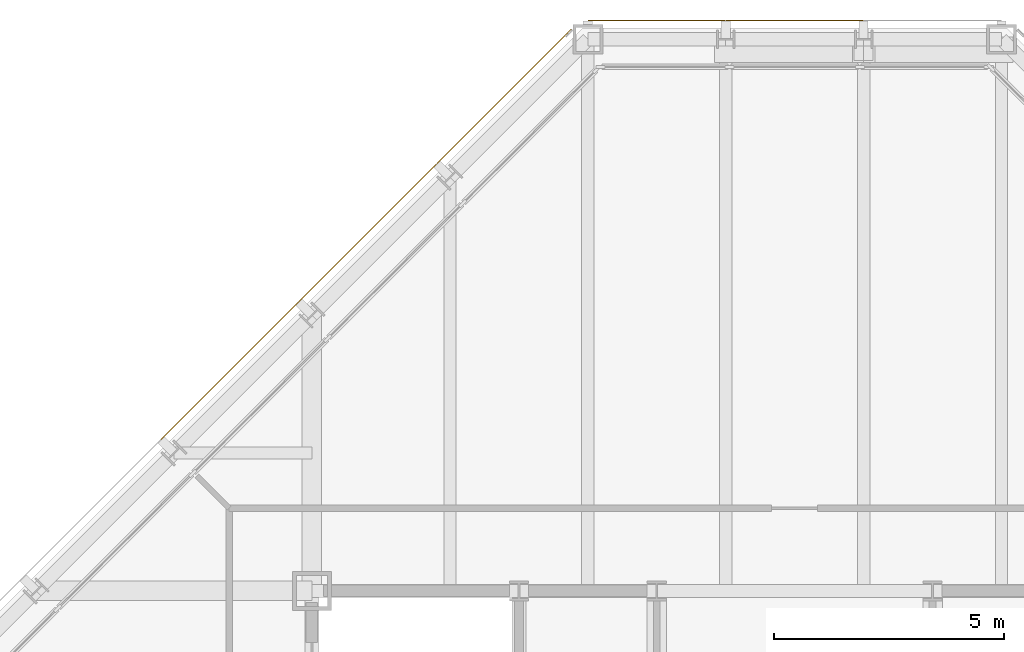
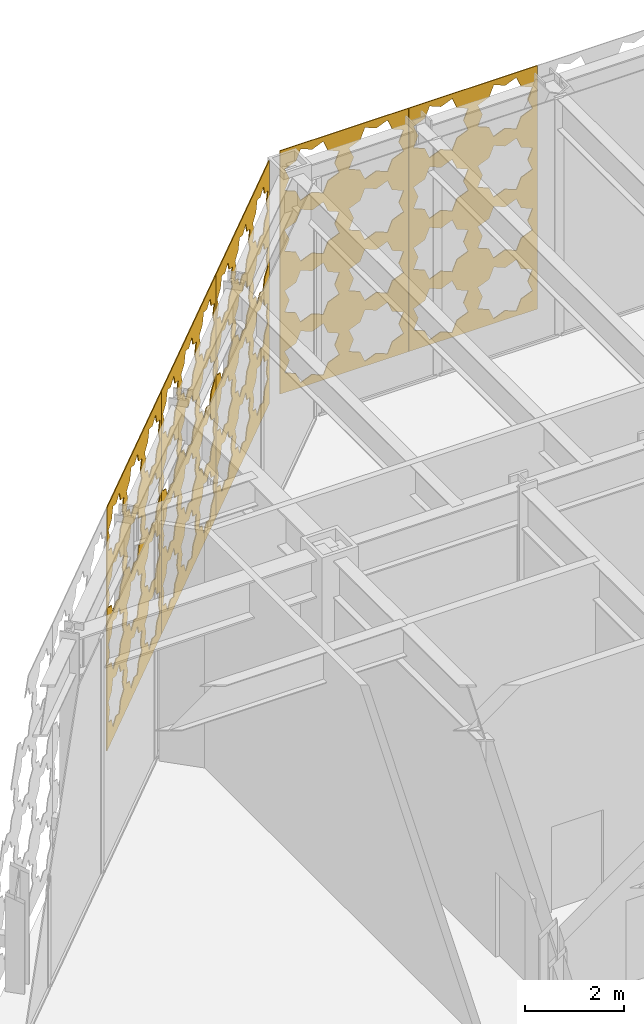
# One storey, part 26 of 28: 5 coverings.
"""IFC4 building model written with IfcOpenShell, lengths in metres."""

from ifc_helpers import new_model, si_unit, direction, frame, origin, place, context, subcontext, project, spatial, polyline, outline, extrude, material, layer, layer_set, type_object, element, save


model = new_model("IFC4")

# Units and contexts
model_context = context("Model", 3, precision=1e-05, world=origin(), true_north=direction((0.0, 1.0)))
body_context = subcontext(model_context, "Body", "Model", "MODEL_VIEW")
ifc_project = project(units=[si_unit("LENGTHUNIT", "METRE"), si_unit("AREAUNIT", "SQUARE_METRE"), si_unit("VOLUMEUNIT", "CUBIC_METRE"), si_unit("PLANEANGLEUNIT", "RADIAN"), si_unit("MASSUNIT", "GRAM", prefix="KILO")], contexts=[model_context])

# Site, building, storey
site_placement = place(None, origin())
site = spatial("IfcSite", under=ifc_project, at=site_placement, CompositionType="ELEMENT")
building_placement = place(site_placement, origin())
building = spatial("IfcBuilding", under=site, at=building_placement, Name="Chuquiago Exchange Tower", CompositionType="ELEMENT")
storey_placement = place(building_placement, frame((0.0, 0.0, 300.0)))
storey = spatial("IfcBuildingStorey", under=building, at=storey_placement, Name="L67", CompositionType="ELEMENT", Elevation=300.0)

# Coverings
ifc_material_1 = material(Name="Anodised aluminium, pale", Category="aluminium")
ifc_layer_1 = layer(ifc_material_1, 0.02001953125)
ifc_layer_set_1 = layer_set([ifc_layer_1], Name="GC3 girih cladding panel 20")
covering_type_1 = type_object("IfcCoveringType", Name="GC3 girih cladding panel 20", PredefinedType="CLADDING", material=ifc_layer_set_1)
covering_1_placement = place(storey_placement, frame((23.9951171875, 45.39990234375, 0.0048828125), z_axis=(0.0, 0.0, 1.0), x_axis=(-1.0, 0.0, 0.0)))
element("IfcCovering", 1, at=covering_1_placement, inside=storey, type_object=covering_type_1, Name="Girih cladding panel L67 N 2", PredefinedType="CLADDING", context=body_context, shape_type="SweptSolid", body=[
    extrude(outline(polyline([(0.0, 0.0), (2.989990234375, 0.0), (2.989990234375, 5.990234375), (0.0, 5.990234375), (0.0, 0.0)]), holes=[polyline([(1.27392578125, 0.752685546875), (1.3828125, 1.015869140625), (1.11962890625, 1.124755859375), (1.0107421875, 1.387939453125), (0.74755859375, 1.279052734375), (0.484375, 1.387939453125), (0.375244140625, 1.124755859375), (0.112060546875, 1.015869140625), (0.22119140625, 0.752685546875), (0.112060546875, 0.489501953125), (0.375244140625, 0.38037109375), (0.484375, 0.1171875), (0.74755859375, 0.226318359375), (1.0107421875, 0.1171875), (1.11962890625, 0.38037109375), (1.3828125, 0.489501953125), (1.27392578125, 0.752685546875)]), polyline([(2.768798828125, 0.752685546875), (2.8779296875, 1.015869140625), (2.61474609375, 1.124755859375), (2.505615234375, 1.387939453125), (2.242431640625, 1.279052734375), (1.979248046875, 1.387939453125), (1.870361328125, 1.124755859375), (1.607177734375, 1.015869140625), (1.716064453125, 0.752685546875), (1.607177734375, 0.489501953125), (1.870361328125, 0.38037109375), (1.979248046875, 0.1171875), (2.242431640625, 0.226318359375), (2.505615234375, 0.1171875), (2.61474609375, 0.38037109375), (2.8779296875, 0.489501953125), (2.768798828125, 0.752685546875)]), polyline([(1.27392578125, 2.24755859375), (1.3828125, 2.5107421875), (1.11962890625, 2.619873046875), (1.0107421875, 2.883056640625), (0.74755859375, 2.77392578125), (0.484375, 2.883056640625), (0.375244140625, 2.619873046875), (0.112060546875, 2.5107421875), (0.22119140625, 2.24755859375), (0.112060546875, 1.984375), (0.375244140625, 1.87548828125), (0.484375, 1.6123046875), (0.74755859375, 1.72119140625), (1.0107421875, 1.6123046875), (1.11962890625, 1.87548828125), (1.3828125, 1.984375), (1.27392578125, 2.24755859375)]), polyline([(2.768798828125, 2.24755859375), (2.8779296875, 2.5107421875), (2.61474609375, 2.619873046875), (2.505615234375, 2.883056640625), (2.242431640625, 2.77392578125), (1.979248046875, 2.883056640625), (1.870361328125, 2.619873046875), (1.607177734375, 2.5107421875), (1.716064453125, 2.24755859375), (1.607177734375, 1.984375), (1.870361328125, 1.87548828125), (1.979248046875, 1.6123046875), (2.242431640625, 1.72119140625), (2.505615234375, 1.6123046875), (2.61474609375, 1.87548828125), (2.8779296875, 1.984375), (2.768798828125, 2.24755859375)]), polyline([(1.27392578125, 3.74267578125), (1.3828125, 4.005859375), (1.11962890625, 4.11474609375), (1.0107421875, 4.3779296875), (0.74755859375, 4.26904296875), (0.484375, 4.3779296875), (0.375244140625, 4.11474609375), (0.112060546875, 4.005859375), (0.22119140625, 3.74267578125), (0.112060546875, 3.4794921875), (0.375244140625, 3.370361328125), (0.484375, 3.107177734375), (0.74755859375, 3.21630859375), (1.0107421875, 3.107177734375), (1.11962890625, 3.370361328125), (1.3828125, 3.4794921875), (1.27392578125, 3.74267578125)]), polyline([(2.768798828125, 3.74267578125), (2.8779296875, 4.005859375), (2.61474609375, 4.11474609375), (2.505615234375, 4.3779296875), (2.242431640625, 4.26904296875), (1.979248046875, 4.3779296875), (1.870361328125, 4.11474609375), (1.607177734375, 4.005859375), (1.716064453125, 3.74267578125), (1.607177734375, 3.4794921875), (1.870361328125, 3.370361328125), (1.979248046875, 3.107177734375), (2.242431640625, 3.21630859375), (2.505615234375, 3.107177734375), (2.61474609375, 3.370361328125), (2.8779296875, 3.4794921875), (2.768798828125, 3.74267578125)]), polyline([(1.27392578125, 5.237548828125), (1.3828125, 5.500732421875), (1.11962890625, 5.60986328125), (1.0107421875, 5.873046875), (0.74755859375, 5.763916015625), (0.484375, 5.873046875), (0.375244140625, 5.60986328125), (0.112060546875, 5.500732421875), (0.22119140625, 5.237548828125), (0.112060546875, 4.974365234375), (0.375244140625, 4.865478515625), (0.484375, 4.602294921875), (0.74755859375, 4.711181640625), (1.0107421875, 4.602294921875), (1.11962890625, 4.865478515625), (1.3828125, 4.974365234375), (1.27392578125, 5.237548828125)]), polyline([(2.768798828125, 5.237548828125), (2.8779296875, 5.500732421875), (2.61474609375, 5.60986328125), (2.505615234375, 5.873046875), (2.242431640625, 5.763916015625), (1.979248046875, 5.873046875), (1.870361328125, 5.60986328125), (1.607177734375, 5.500732421875), (1.716064453125, 5.237548828125), (1.607177734375, 4.974365234375), (1.870361328125, 4.865478515625), (1.979248046875, 4.602294921875), (2.242431640625, 4.711181640625), (2.505615234375, 4.602294921875), (2.61474609375, 4.865478515625), (2.8779296875, 4.974365234375), (2.768798828125, 5.237548828125)])]), frame((0.0, 0.0, 0.0), z_axis=(0.0, -1.0, 0.0), x_axis=(1.0, 0.0, 0.0)), (0.0, 0.0, 1.0), 0.02001953125),
])
covering_2_placement = place(storey_placement, frame((20.9951171875, 45.39990234375, 0.0048828125), z_axis=(0.0, 0.0, 1.0), x_axis=(-1.0, 0.0, 0.0)))
element("IfcCovering", 2, at=covering_2_placement, inside=storey, type_object=covering_type_1, Name="Girih cladding panel L67 N 3", PredefinedType="CLADDING", context=body_context, shape_type="SweptSolid", body=[
    extrude(outline(polyline([(0.0, 0.0), (2.989990234375, 0.0), (2.989990234375, 5.990234375), (0.0, 5.990234375), (0.0, 0.0)]), holes=[polyline([(1.27392578125, 0.752685546875), (1.3828125, 1.015869140625), (1.11962890625, 1.124755859375), (1.0107421875, 1.387939453125), (0.74755859375, 1.279052734375), (0.484375, 1.387939453125), (0.375244140625, 1.124755859375), (0.112060546875, 1.015869140625), (0.22119140625, 0.752685546875), (0.112060546875, 0.489501953125), (0.375244140625, 0.38037109375), (0.484375, 0.1171875), (0.74755859375, 0.226318359375), (1.0107421875, 0.1171875), (1.11962890625, 0.38037109375), (1.3828125, 0.489501953125), (1.27392578125, 0.752685546875)]), polyline([(2.768798828125, 0.752685546875), (2.8779296875, 1.015869140625), (2.61474609375, 1.124755859375), (2.505615234375, 1.387939453125), (2.242431640625, 1.279052734375), (1.979248046875, 1.387939453125), (1.870361328125, 1.124755859375), (1.607177734375, 1.015869140625), (1.716064453125, 0.752685546875), (1.607177734375, 0.489501953125), (1.870361328125, 0.38037109375), (1.979248046875, 0.1171875), (2.242431640625, 0.226318359375), (2.505615234375, 0.1171875), (2.61474609375, 0.38037109375), (2.8779296875, 0.489501953125), (2.768798828125, 0.752685546875)]), polyline([(1.27392578125, 2.24755859375), (1.3828125, 2.5107421875), (1.11962890625, 2.619873046875), (1.0107421875, 2.883056640625), (0.74755859375, 2.77392578125), (0.484375, 2.883056640625), (0.375244140625, 2.619873046875), (0.112060546875, 2.5107421875), (0.22119140625, 2.24755859375), (0.112060546875, 1.984375), (0.375244140625, 1.87548828125), (0.484375, 1.6123046875), (0.74755859375, 1.72119140625), (1.0107421875, 1.6123046875), (1.11962890625, 1.87548828125), (1.3828125, 1.984375), (1.27392578125, 2.24755859375)]), polyline([(2.768798828125, 2.24755859375), (2.8779296875, 2.5107421875), (2.61474609375, 2.619873046875), (2.505615234375, 2.883056640625), (2.242431640625, 2.77392578125), (1.979248046875, 2.883056640625), (1.870361328125, 2.619873046875), (1.607177734375, 2.5107421875), (1.716064453125, 2.24755859375), (1.607177734375, 1.984375), (1.870361328125, 1.87548828125), (1.979248046875, 1.6123046875), (2.242431640625, 1.72119140625), (2.505615234375, 1.6123046875), (2.61474609375, 1.87548828125), (2.8779296875, 1.984375), (2.768798828125, 2.24755859375)]), polyline([(1.27392578125, 3.74267578125), (1.3828125, 4.005859375), (1.11962890625, 4.11474609375), (1.0107421875, 4.3779296875), (0.74755859375, 4.26904296875), (0.484375, 4.3779296875), (0.375244140625, 4.11474609375), (0.112060546875, 4.005859375), (0.22119140625, 3.74267578125), (0.112060546875, 3.4794921875), (0.375244140625, 3.370361328125), (0.484375, 3.107177734375), (0.74755859375, 3.21630859375), (1.0107421875, 3.107177734375), (1.11962890625, 3.370361328125), (1.3828125, 3.4794921875), (1.27392578125, 3.74267578125)]), polyline([(2.768798828125, 3.74267578125), (2.8779296875, 4.005859375), (2.61474609375, 4.11474609375), (2.505615234375, 4.3779296875), (2.242431640625, 4.26904296875), (1.979248046875, 4.3779296875), (1.870361328125, 4.11474609375), (1.607177734375, 4.005859375), (1.716064453125, 3.74267578125), (1.607177734375, 3.4794921875), (1.870361328125, 3.370361328125), (1.979248046875, 3.107177734375), (2.242431640625, 3.21630859375), (2.505615234375, 3.107177734375), (2.61474609375, 3.370361328125), (2.8779296875, 3.4794921875), (2.768798828125, 3.74267578125)]), polyline([(1.27392578125, 5.237548828125), (1.3828125, 5.500732421875), (1.11962890625, 5.60986328125), (1.0107421875, 5.873046875), (0.74755859375, 5.763916015625), (0.484375, 5.873046875), (0.375244140625, 5.60986328125), (0.112060546875, 5.500732421875), (0.22119140625, 5.237548828125), (0.112060546875, 4.974365234375), (0.375244140625, 4.865478515625), (0.484375, 4.602294921875), (0.74755859375, 4.711181640625), (1.0107421875, 4.602294921875), (1.11962890625, 4.865478515625), (1.3828125, 4.974365234375), (1.27392578125, 5.237548828125)]), polyline([(2.768798828125, 5.237548828125), (2.8779296875, 5.500732421875), (2.61474609375, 5.60986328125), (2.505615234375, 5.873046875), (2.242431640625, 5.763916015625), (1.979248046875, 5.873046875), (1.870361328125, 5.60986328125), (1.607177734375, 5.500732421875), (1.716064453125, 5.237548828125), (1.607177734375, 4.974365234375), (1.870361328125, 4.865478515625), (1.979248046875, 4.602294921875), (2.242431640625, 4.711181640625), (2.505615234375, 4.602294921875), (2.61474609375, 4.865478515625), (2.8779296875, 4.974365234375), (2.768798828125, 5.237548828125)])]), frame((0.0, 0.0, 0.0), z_axis=(0.0, -1.0, 0.0), x_axis=(1.0, 0.0, 0.0)), (0.0, 0.0, 1.0), 0.02001953125),
])
ifc_material_2 = material(Name="Anodised aluminium, pale", Category="aluminium")
ifc_layer_2 = layer(ifc_material_2, 0.02001953125)
ifc_layer_set_2 = layer_set([ifc_layer_2], Name="GC4 girih cladding panel 20")
covering_type_2 = type_object("IfcCoveringType", Name="GC4 girih cladding panel 20", PredefinedType="CLADDING", material=ifc_layer_set_2)
covering_3_placement = place(storey_placement, frame((14.713623046875, 42.279296875, 0.0048828125), z_axis=(0.0, 0.0, 1.0), x_axis=(-0.707106781187, -0.707106781187, 0.0)))
element("IfcCovering", 3, at=covering_3_placement, inside=storey, type_object=covering_type_2, Name="Girih cladding panel L67 NW 2", PredefinedType="CLADDING", context=body_context, shape_type="SweptSolid", body=[
    extrude(outline(polyline([(0.0, 0.0), (4.232666015625, 0.0), (4.232666015625, 5.990234375), (0.0, 5.990234375), (0.0, 0.0)]), holes=[polyline([(1.2021484375, 0.878662109375), (1.304931640625, 1.127197265625), (1.056640625, 1.22998046875), (0.953857421875, 1.478271484375), (0.70556640625, 1.37548828125), (0.45703125, 1.478271484375), (0.354248046875, 1.22998046875), (0.10595703125, 1.127197265625), (0.208740234375, 0.878662109375), (0.10595703125, 0.63037109375), (0.354248046875, 0.527587890625), (0.45703125, 0.279296875), (0.705322265625, 0.382080078125), (0.953857421875, 0.279296875), (1.056640625, 0.527587890625), (1.304931640625, 0.63037109375), (1.2021484375, 0.878662109375)]), polyline([(2.613037109375, 0.878662109375), (2.7158203125, 1.127197265625), (2.467529296875, 1.22998046875), (2.36474609375, 1.478271484375), (2.116455078125, 1.37548828125), (1.867919921875, 1.478271484375), (1.76513671875, 1.22998046875), (1.516845703125, 1.127197265625), (1.61962890625, 0.878662109375), (1.516845703125, 0.63037109375), (1.76513671875, 0.527587890625), (1.867919921875, 0.279296875), (2.116455078125, 0.382080078125), (2.36474609375, 0.279296875), (2.467529296875, 0.527587890625), (2.7158203125, 0.63037109375), (2.613037109375, 0.878662109375)]), polyline([(4.02392578125, 0.878662109375), (4.126708984375, 1.127197265625), (3.87841796875, 1.22998046875), (3.775634765625, 1.478271484375), (3.527099609375, 1.37548828125), (3.27880859375, 1.478271484375), (3.176025390625, 1.22998046875), (2.927734375, 1.127197265625), (3.030517578125, 0.878662109375), (2.927734375, 0.63037109375), (3.176025390625, 0.527587890625), (3.27880859375, 0.279296875), (3.527099609375, 0.382080078125), (3.775634765625, 0.279296875), (3.87841796875, 0.527587890625), (4.126708984375, 0.63037109375), (4.02392578125, 0.878662109375)]), polyline([(1.2021484375, 2.289794921875), (1.304931640625, 2.5380859375), (1.056640625, 2.640869140625), (0.953857421875, 2.88916015625), (0.70556640625, 2.786376953125), (0.45703125, 2.88916015625), (0.354248046875, 2.640869140625), (0.10595703125, 2.5380859375), (0.208740234375, 2.289794921875), (0.10595703125, 2.041259765625), (0.354248046875, 1.9384765625), (0.45703125, 1.690185546875), (0.705322265625, 1.79296875), (0.953857421875, 1.690185546875), (1.056640625, 1.9384765625), (1.304931640625, 2.041259765625), (1.2021484375, 2.289794921875)]), polyline([(2.613037109375, 2.289794921875), (2.7158203125, 2.5380859375), (2.467529296875, 2.640869140625), (2.36474609375, 2.88916015625), (2.116455078125, 2.786376953125), (1.867919921875, 2.88916015625), (1.76513671875, 2.640869140625), (1.516845703125, 2.5380859375), (1.61962890625, 2.289794921875), (1.516845703125, 2.041259765625), (1.76513671875, 1.9384765625), (1.867919921875, 1.690185546875), (2.116455078125, 1.79296875), (2.36474609375, 1.690185546875), (2.467529296875, 1.9384765625), (2.7158203125, 2.041259765625), (2.613037109375, 2.289794921875)]), polyline([(4.02392578125, 2.289794921875), (4.126708984375, 2.5380859375), (3.87841796875, 2.640869140625), (3.775634765625, 2.88916015625), (3.527099609375, 2.786376953125), (3.27880859375, 2.88916015625), (3.176025390625, 2.640869140625), (2.927734375, 2.5380859375), (3.030517578125, 2.289794921875), (2.927734375, 2.041259765625), (3.176025390625, 1.9384765625), (3.27880859375, 1.690185546875), (3.527099609375, 1.79296875), (3.775634765625, 1.690185546875), (3.87841796875, 1.9384765625), (4.126708984375, 2.041259765625), (4.02392578125, 2.289794921875)]), polyline([(1.2021484375, 3.700439453125), (1.304931640625, 3.948974609375), (1.056640625, 4.0517578125), (0.953857421875, 4.300048828125), (0.70556640625, 4.197265625), (0.45703125, 4.300048828125), (0.354248046875, 4.0517578125), (0.10595703125, 3.948974609375), (0.208740234375, 3.700439453125), (0.10595703125, 3.4521484375), (0.354248046875, 3.349365234375), (0.45703125, 3.10107421875), (0.705322265625, 3.203857421875), (0.953857421875, 3.10107421875), (1.056640625, 3.349365234375), (1.304931640625, 3.4521484375), (1.2021484375, 3.700439453125)]), polyline([(2.613037109375, 3.700439453125), (2.7158203125, 3.948974609375), (2.467529296875, 4.0517578125), (2.36474609375, 4.300048828125), (2.116455078125, 4.197265625), (1.867919921875, 4.300048828125), (1.76513671875, 4.0517578125), (1.516845703125, 3.948974609375), (1.61962890625, 3.700439453125), (1.516845703125, 3.4521484375), (1.76513671875, 3.349365234375), (1.867919921875, 3.10107421875), (2.116455078125, 3.203857421875), (2.36474609375, 3.10107421875), (2.467529296875, 3.349365234375), (2.7158203125, 3.4521484375), (2.613037109375, 3.700439453125)]), polyline([(4.02392578125, 3.700439453125), (4.126708984375, 3.948974609375), (3.87841796875, 4.0517578125), (3.775634765625, 4.300048828125), (3.527099609375, 4.197265625), (3.27880859375, 4.300048828125), (3.176025390625, 4.0517578125), (2.927734375, 3.948974609375), (3.030517578125, 3.700439453125), (2.927734375, 3.4521484375), (3.176025390625, 3.349365234375), (3.27880859375, 3.10107421875), (3.527099609375, 3.203857421875), (3.775634765625, 3.10107421875), (3.87841796875, 3.349365234375), (4.126708984375, 3.4521484375), (4.02392578125, 3.700439453125)]), polyline([(1.2021484375, 5.111572265625), (1.304931640625, 5.35986328125), (1.056640625, 5.462646484375), (0.953857421875, 5.7109375), (0.70556640625, 5.608154296875), (0.45703125, 5.7109375), (0.354248046875, 5.462646484375), (0.10595703125, 5.35986328125), (0.208740234375, 5.111572265625), (0.10595703125, 4.863037109375), (0.354248046875, 4.76025390625), (0.45703125, 4.511962890625), (0.705322265625, 4.61474609375), (0.953857421875, 4.511962890625), (1.056640625, 4.76025390625), (1.304931640625, 4.863037109375), (1.2021484375, 5.111572265625)]), polyline([(2.613037109375, 5.111572265625), (2.7158203125, 5.35986328125), (2.467529296875, 5.462646484375), (2.36474609375, 5.7109375), (2.116455078125, 5.608154296875), (1.867919921875, 5.7109375), (1.76513671875, 5.462646484375), (1.516845703125, 5.35986328125), (1.61962890625, 5.111572265625), (1.516845703125, 4.863037109375), (1.76513671875, 4.76025390625), (1.867919921875, 4.511962890625), (2.116455078125, 4.61474609375), (2.36474609375, 4.511962890625), (2.467529296875, 4.76025390625), (2.7158203125, 4.863037109375), (2.613037109375, 5.111572265625)]), polyline([(4.02392578125, 5.111572265625), (4.126708984375, 5.35986328125), (3.87841796875, 5.462646484375), (3.775634765625, 5.7109375), (3.527099609375, 5.608154296875), (3.27880859375, 5.7109375), (3.176025390625, 5.462646484375), (2.927734375, 5.35986328125), (3.030517578125, 5.111572265625), (2.927734375, 4.863037109375), (3.176025390625, 4.76025390625), (3.27880859375, 4.511962890625), (3.527099609375, 4.61474609375), (3.775634765625, 4.511962890625), (3.87841796875, 4.76025390625), (4.126708984375, 4.863037109375), (4.02392578125, 5.111572265625)])]), frame((0.0, 0.0, 0.0), z_axis=(0.0, -1.0, 0.0), x_axis=(1.0, 0.0, 0.0)), (0.0, 0.0, 1.0), 0.02001953125),
])
covering_4_placement = place(storey_placement, frame((11.713623046875, 39.279296875, 0.0048828125), z_axis=(0.0, 0.0, 1.0), x_axis=(-0.707106781187, -0.707106781187, 0.0)))
element("IfcCovering", 4, at=covering_4_placement, inside=storey, type_object=covering_type_2, Name="Girih cladding panel L67 NW 3", PredefinedType="CLADDING", context=body_context, shape_type="SweptSolid", body=[
    extrude(outline(polyline([(0.0, 0.0), (4.232666015625, 0.0), (4.232666015625, 5.990234375), (0.0, 5.990234375), (0.0, 0.0)]), holes=[polyline([(1.2021484375, 0.878662109375), (1.304931640625, 1.127197265625), (1.056640625, 1.22998046875), (0.953857421875, 1.478271484375), (0.70556640625, 1.37548828125), (0.45703125, 1.478271484375), (0.354248046875, 1.22998046875), (0.10595703125, 1.127197265625), (0.208740234375, 0.878662109375), (0.10595703125, 0.63037109375), (0.354248046875, 0.527587890625), (0.45703125, 0.279296875), (0.705322265625, 0.382080078125), (0.953857421875, 0.279296875), (1.056640625, 0.527587890625), (1.304931640625, 0.63037109375), (1.2021484375, 0.878662109375)]), polyline([(2.613037109375, 0.878662109375), (2.7158203125, 1.127197265625), (2.467529296875, 1.22998046875), (2.36474609375, 1.478271484375), (2.116455078125, 1.37548828125), (1.867919921875, 1.478271484375), (1.76513671875, 1.22998046875), (1.516845703125, 1.127197265625), (1.61962890625, 0.878662109375), (1.516845703125, 0.63037109375), (1.76513671875, 0.527587890625), (1.867919921875, 0.279296875), (2.116455078125, 0.382080078125), (2.36474609375, 0.279296875), (2.467529296875, 0.527587890625), (2.7158203125, 0.63037109375), (2.613037109375, 0.878662109375)]), polyline([(4.02392578125, 0.878662109375), (4.126708984375, 1.127197265625), (3.87841796875, 1.22998046875), (3.775634765625, 1.478271484375), (3.527099609375, 1.37548828125), (3.27880859375, 1.478271484375), (3.176025390625, 1.22998046875), (2.927734375, 1.127197265625), (3.030517578125, 0.878662109375), (2.927734375, 0.63037109375), (3.176025390625, 0.527587890625), (3.27880859375, 0.279296875), (3.527099609375, 0.382080078125), (3.775634765625, 0.279296875), (3.87841796875, 0.527587890625), (4.126708984375, 0.63037109375), (4.02392578125, 0.878662109375)]), polyline([(1.2021484375, 2.289794921875), (1.304931640625, 2.5380859375), (1.056640625, 2.640869140625), (0.953857421875, 2.88916015625), (0.70556640625, 2.786376953125), (0.45703125, 2.88916015625), (0.354248046875, 2.640869140625), (0.10595703125, 2.5380859375), (0.208740234375, 2.289794921875), (0.10595703125, 2.041259765625), (0.354248046875, 1.9384765625), (0.45703125, 1.690185546875), (0.705322265625, 1.79296875), (0.953857421875, 1.690185546875), (1.056640625, 1.9384765625), (1.304931640625, 2.041259765625), (1.2021484375, 2.289794921875)]), polyline([(2.613037109375, 2.289794921875), (2.7158203125, 2.5380859375), (2.467529296875, 2.640869140625), (2.36474609375, 2.88916015625), (2.116455078125, 2.786376953125), (1.867919921875, 2.88916015625), (1.76513671875, 2.640869140625), (1.516845703125, 2.5380859375), (1.61962890625, 2.289794921875), (1.516845703125, 2.041259765625), (1.76513671875, 1.9384765625), (1.867919921875, 1.690185546875), (2.116455078125, 1.79296875), (2.36474609375, 1.690185546875), (2.467529296875, 1.9384765625), (2.7158203125, 2.041259765625), (2.613037109375, 2.289794921875)]), polyline([(4.02392578125, 2.289794921875), (4.126708984375, 2.5380859375), (3.87841796875, 2.640869140625), (3.775634765625, 2.88916015625), (3.527099609375, 2.786376953125), (3.27880859375, 2.88916015625), (3.176025390625, 2.640869140625), (2.927734375, 2.5380859375), (3.030517578125, 2.289794921875), (2.927734375, 2.041259765625), (3.176025390625, 1.9384765625), (3.27880859375, 1.690185546875), (3.527099609375, 1.79296875), (3.775634765625, 1.690185546875), (3.87841796875, 1.9384765625), (4.126708984375, 2.041259765625), (4.02392578125, 2.289794921875)]), polyline([(1.2021484375, 3.700439453125), (1.304931640625, 3.948974609375), (1.056640625, 4.0517578125), (0.953857421875, 4.300048828125), (0.70556640625, 4.197265625), (0.45703125, 4.300048828125), (0.354248046875, 4.0517578125), (0.10595703125, 3.948974609375), (0.208740234375, 3.700439453125), (0.10595703125, 3.4521484375), (0.354248046875, 3.349365234375), (0.45703125, 3.10107421875), (0.705322265625, 3.203857421875), (0.953857421875, 3.10107421875), (1.056640625, 3.349365234375), (1.304931640625, 3.4521484375), (1.2021484375, 3.700439453125)]), polyline([(2.613037109375, 3.700439453125), (2.7158203125, 3.948974609375), (2.467529296875, 4.0517578125), (2.36474609375, 4.300048828125), (2.116455078125, 4.197265625), (1.867919921875, 4.300048828125), (1.76513671875, 4.0517578125), (1.516845703125, 3.948974609375), (1.61962890625, 3.700439453125), (1.516845703125, 3.4521484375), (1.76513671875, 3.349365234375), (1.867919921875, 3.10107421875), (2.116455078125, 3.203857421875), (2.36474609375, 3.10107421875), (2.467529296875, 3.349365234375), (2.7158203125, 3.4521484375), (2.613037109375, 3.700439453125)]), polyline([(4.02392578125, 3.700439453125), (4.126708984375, 3.948974609375), (3.87841796875, 4.0517578125), (3.775634765625, 4.300048828125), (3.527099609375, 4.197265625), (3.27880859375, 4.300048828125), (3.176025390625, 4.0517578125), (2.927734375, 3.948974609375), (3.030517578125, 3.700439453125), (2.927734375, 3.4521484375), (3.176025390625, 3.349365234375), (3.27880859375, 3.10107421875), (3.527099609375, 3.203857421875), (3.775634765625, 3.10107421875), (3.87841796875, 3.349365234375), (4.126708984375, 3.4521484375), (4.02392578125, 3.700439453125)]), polyline([(1.2021484375, 5.111572265625), (1.304931640625, 5.35986328125), (1.056640625, 5.462646484375), (0.953857421875, 5.7109375), (0.70556640625, 5.608154296875), (0.45703125, 5.7109375), (0.354248046875, 5.462646484375), (0.10595703125, 5.35986328125), (0.208740234375, 5.111572265625), (0.10595703125, 4.863037109375), (0.354248046875, 4.76025390625), (0.45703125, 4.511962890625), (0.705322265625, 4.61474609375), (0.953857421875, 4.511962890625), (1.056640625, 4.76025390625), (1.304931640625, 4.863037109375), (1.2021484375, 5.111572265625)]), polyline([(2.613037109375, 5.111572265625), (2.7158203125, 5.35986328125), (2.467529296875, 5.462646484375), (2.36474609375, 5.7109375), (2.116455078125, 5.608154296875), (1.867919921875, 5.7109375), (1.76513671875, 5.462646484375), (1.516845703125, 5.35986328125), (1.61962890625, 5.111572265625), (1.516845703125, 4.863037109375), (1.76513671875, 4.76025390625), (1.867919921875, 4.511962890625), (2.116455078125, 4.61474609375), (2.36474609375, 4.511962890625), (2.467529296875, 4.76025390625), (2.7158203125, 4.863037109375), (2.613037109375, 5.111572265625)]), polyline([(4.02392578125, 5.111572265625), (4.126708984375, 5.35986328125), (3.87841796875, 5.462646484375), (3.775634765625, 5.7109375), (3.527099609375, 5.608154296875), (3.27880859375, 5.7109375), (3.176025390625, 5.462646484375), (2.927734375, 5.35986328125), (3.030517578125, 5.111572265625), (2.927734375, 4.863037109375), (3.176025390625, 4.76025390625), (3.27880859375, 4.511962890625), (3.527099609375, 4.61474609375), (3.775634765625, 4.511962890625), (3.87841796875, 4.76025390625), (4.126708984375, 4.863037109375), (4.02392578125, 5.111572265625)])]), frame((0.0, 0.0, 0.0), z_axis=(0.0, -1.0, 0.0), x_axis=(1.0, 0.0, 0.0)), (0.0, 0.0, 1.0), 0.02001953125),
])
ifc_material_3 = material(Name="Anodised aluminium, pale", Category="aluminium")
ifc_layer_3 = layer(ifc_material_3, 0.02001953125)
ifc_layer_set_3 = layer_set([ifc_layer_3], Name="GC7 girih cladding panel 20")
covering_type_3 = type_object("IfcCoveringType", Name="GC7 girih cladding panel 20", PredefinedType="CLADDING", material=ifc_layer_set_3)
covering_5_placement = place(storey_placement, frame((17.64990234375, 45.2158203125, 0.0048828125), z_axis=(0.0, 0.0, 1.0), x_axis=(-0.707106781187, -0.707106781187, 0.0)))
element("IfcCovering", 5, at=covering_5_placement, inside=storey, type_object=covering_type_3, Name="Girih cladding panel L67 NW 1", PredefinedType="CLADDING", context=body_context, shape_type="SweptSolid", body=[
    extrude(outline(polyline([(0.0, 0.0), (4.142578125, 0.0), (4.142578125, 5.990234375), (0.0, 5.990234375), (0.0, 0.0)]), holes=[polyline([(1.176513671875, 0.923828125), (1.27734375, 1.166748046875), (1.0341796875, 1.267578125), (0.93359375, 1.510498046875), (0.6904296875, 1.409912109375), (0.447509765625, 1.510498046875), (0.3466796875, 1.267578125), (0.103515625, 1.166748046875), (0.204345703125, 0.923828125), (0.103515625, 0.6806640625), (0.3466796875, 0.580078125), (0.447509765625, 0.3369140625), (0.6904296875, 0.4375), (0.93359375, 0.3369140625), (1.0341796875, 0.580078125), (1.27734375, 0.6806640625), (1.176513671875, 0.923828125)]), polyline([(2.5576171875, 0.923828125), (2.658203125, 1.166748046875), (2.4150390625, 1.267578125), (2.314453125, 1.510498046875), (2.0712890625, 1.409912109375), (1.828369140625, 1.510498046875), (1.7275390625, 1.267578125), (1.484619140625, 1.166748046875), (1.585205078125, 0.923828125), (1.484619140625, 0.6806640625), (1.7275390625, 0.580078125), (1.828369140625, 0.3369140625), (2.0712890625, 0.4375), (2.314453125, 0.3369140625), (2.4150390625, 0.580078125), (2.658203125, 0.6806640625), (2.5576171875, 0.923828125)]), polyline([(3.9384765625, 0.923828125), (4.0390625, 1.166748046875), (3.7958984375, 1.267578125), (3.6953125, 1.510498046875), (3.452392578125, 1.409912109375), (3.209228515625, 1.510498046875), (3.1083984375, 1.267578125), (2.865478515625, 1.166748046875), (2.966064453125, 0.923828125), (2.865478515625, 0.6806640625), (3.1083984375, 0.580078125), (3.209228515625, 0.3369140625), (3.452392578125, 0.4375), (3.6953125, 0.3369140625), (3.7958984375, 0.580078125), (4.0390625, 0.6806640625), (3.9384765625, 0.923828125)]), polyline([(1.176513671875, 2.3046875), (1.27734375, 2.547607421875), (1.0341796875, 2.6484375), (0.93359375, 2.8916015625), (0.6904296875, 2.790771484375), (0.447509765625, 2.8916015625), (0.3466796875, 2.6484375), (0.103515625, 2.547607421875), (0.204345703125, 2.3046875), (0.103515625, 2.0615234375), (0.3466796875, 1.9609375), (0.447509765625, 1.7177734375), (0.6904296875, 1.818603515625), (0.93359375, 1.7177734375), (1.0341796875, 1.9609375), (1.27734375, 2.0615234375), (1.176513671875, 2.3046875)]), polyline([(2.5576171875, 2.3046875), (2.658203125, 2.547607421875), (2.4150390625, 2.6484375), (2.314453125, 2.8916015625), (2.0712890625, 2.790771484375), (1.828369140625, 2.8916015625), (1.7275390625, 2.6484375), (1.484619140625, 2.547607421875), (1.585205078125, 2.3046875), (1.484619140625, 2.0615234375), (1.7275390625, 1.9609375), (1.828369140625, 1.7177734375), (2.0712890625, 1.818603515625), (2.314453125, 1.7177734375), (2.4150390625, 1.9609375), (2.658203125, 2.0615234375), (2.5576171875, 2.3046875)]), polyline([(3.9384765625, 2.3046875), (4.0390625, 2.547607421875), (3.7958984375, 2.6484375), (3.6953125, 2.8916015625), (3.452392578125, 2.790771484375), (3.209228515625, 2.8916015625), (3.1083984375, 2.6484375), (2.865478515625, 2.547607421875), (2.966064453125, 2.3046875), (2.865478515625, 2.0615234375), (3.1083984375, 1.9609375), (3.209228515625, 1.7177734375), (3.452392578125, 1.818603515625), (3.6953125, 1.7177734375), (3.7958984375, 1.9609375), (4.0390625, 2.0615234375), (3.9384765625, 2.3046875)]), polyline([(1.176513671875, 3.685546875), (1.27734375, 3.9287109375), (1.0341796875, 4.029296875), (0.93359375, 4.2724609375), (0.6904296875, 4.171630859375), (0.447509765625, 4.2724609375), (0.3466796875, 4.029296875), (0.103515625, 3.9287109375), (0.204345703125, 3.685546875), (0.103515625, 3.442626953125), (0.3466796875, 3.341796875), (0.447509765625, 3.0986328125), (0.6904296875, 3.199462890625), (0.93359375, 3.0986328125), (1.0341796875, 3.341796875), (1.27734375, 3.442626953125), (1.176513671875, 3.685546875)]), polyline([(2.5576171875, 3.685546875), (2.658203125, 3.9287109375), (2.4150390625, 4.029296875), (2.314453125, 4.2724609375), (2.0712890625, 4.171630859375), (1.828369140625, 4.2724609375), (1.7275390625, 4.029296875), (1.484619140625, 3.9287109375), (1.585205078125, 3.685546875), (1.484619140625, 3.442626953125), (1.7275390625, 3.341796875), (1.828369140625, 3.0986328125), (2.0712890625, 3.199462890625), (2.314453125, 3.0986328125), (2.4150390625, 3.341796875), (2.658203125, 3.442626953125), (2.5576171875, 3.685546875)]), polyline([(3.9384765625, 3.685546875), (4.0390625, 3.9287109375), (3.7958984375, 4.029296875), (3.6953125, 4.2724609375), (3.452392578125, 4.171630859375), (3.209228515625, 4.2724609375), (3.1083984375, 4.029296875), (2.865478515625, 3.9287109375), (2.966064453125, 3.685546875), (2.865478515625, 3.442626953125), (3.1083984375, 3.341796875), (3.209228515625, 3.0986328125), (3.452392578125, 3.199462890625), (3.6953125, 3.0986328125), (3.7958984375, 3.341796875), (4.0390625, 3.442626953125), (3.9384765625, 3.685546875)]), polyline([(1.176513671875, 5.06640625), (1.27734375, 5.3095703125), (1.0341796875, 5.41015625), (0.93359375, 5.6533203125), (0.6904296875, 5.552734375), (0.447509765625, 5.6533203125), (0.3466796875, 5.41015625), (0.103515625, 5.3095703125), (0.204345703125, 5.06640625), (0.103515625, 4.823486328125), (0.3466796875, 4.72265625), (0.447509765625, 4.479736328125), (0.6904296875, 4.580322265625), (0.93359375, 4.479736328125), (1.0341796875, 4.72265625), (1.27734375, 4.823486328125), (1.176513671875, 5.06640625)]), polyline([(2.5576171875, 5.06640625), (2.658203125, 5.3095703125), (2.4150390625, 5.41015625), (2.314453125, 5.6533203125), (2.0712890625, 5.552734375), (1.828369140625, 5.6533203125), (1.7275390625, 5.41015625), (1.484619140625, 5.3095703125), (1.585205078125, 5.06640625), (1.484619140625, 4.823486328125), (1.7275390625, 4.72265625), (1.828369140625, 4.479736328125), (2.0712890625, 4.580322265625), (2.314453125, 4.479736328125), (2.4150390625, 4.72265625), (2.658203125, 4.823486328125), (2.5576171875, 5.06640625)]), polyline([(3.9384765625, 5.06640625), (4.0390625, 5.3095703125), (3.7958984375, 5.41015625), (3.6953125, 5.6533203125), (3.452392578125, 5.552734375), (3.209228515625, 5.6533203125), (3.1083984375, 5.41015625), (2.865478515625, 5.3095703125), (2.966064453125, 5.06640625), (2.865478515625, 4.823486328125), (3.1083984375, 4.72265625), (3.209228515625, 4.479736328125), (3.452392578125, 4.580322265625), (3.6953125, 4.479736328125), (3.7958984375, 4.72265625), (4.0390625, 4.823486328125), (3.9384765625, 5.06640625)])]), frame((0.0, 0.0, 0.0), z_axis=(0.0, -1.0, 0.0), x_axis=(1.0, 0.0, 0.0)), (0.0, 0.0, 1.0), 0.02001953125),
])

save(model, "model.ifc")
